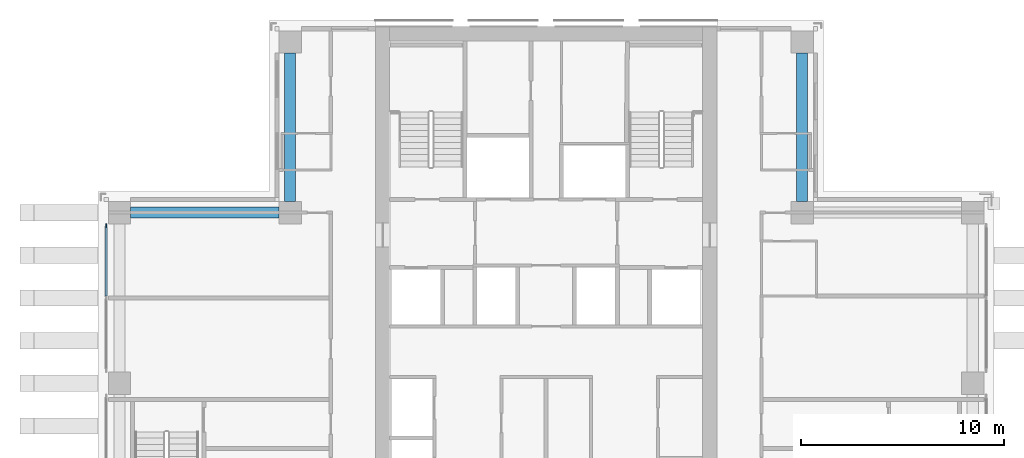
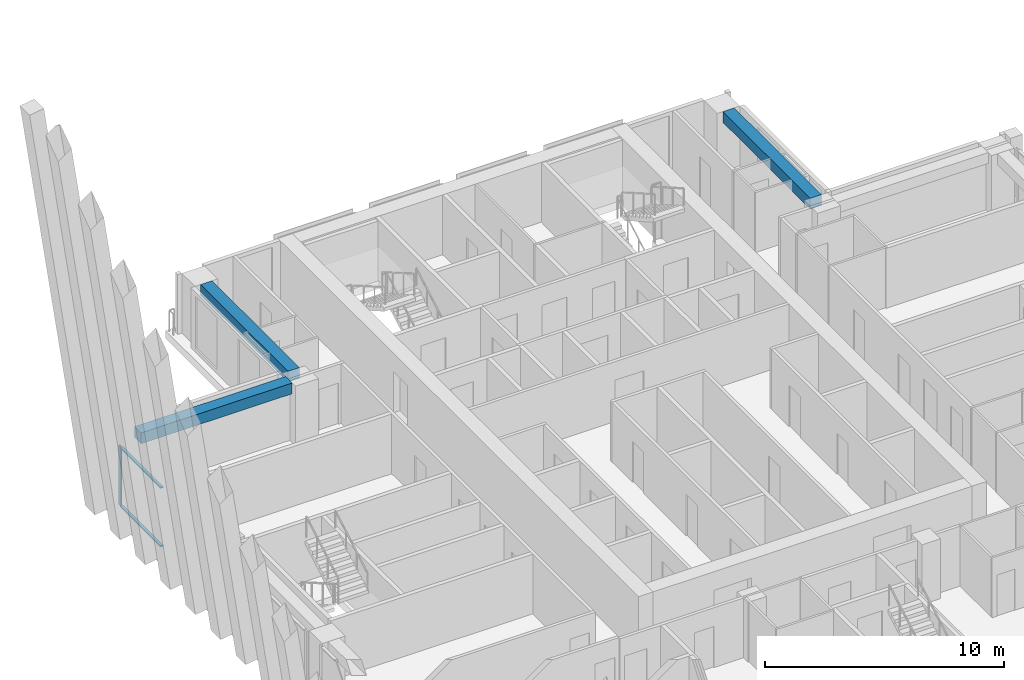
# One storey, part 5 of 15: 3 beams, 3 members, 1 element without a shape of its own.
"""IFC4 building model written with IfcOpenShell, lengths in metres."""

from ifc_helpers import new_model, si_unit, direction, frame, origin, origin_2d, place, context, subcontext, project, spatial, rectangle, extrude, material, material_profile, profile_set, type_object, element, aggregate, save


model = new_model("IFC4")

# Units and contexts
model_context = context("Model", 3, precision=1e-05, world=origin(), true_north=direction((0.0, 1.0)))
body_context = subcontext(model_context, "Body", "Model", "MODEL_VIEW")
ifc_project = project(units=[si_unit("LENGTHUNIT", "METRE"), si_unit("AREAUNIT", "SQUARE_METRE"), si_unit("VOLUMEUNIT", "CUBIC_METRE"), si_unit("PLANEANGLEUNIT", "RADIAN"), si_unit("MASSUNIT", "GRAM", prefix="KILO")], contexts=[model_context])

# Site, building, storey
site_placement = place(None, origin())
site = spatial("IfcSite", under=ifc_project, at=site_placement, CompositionType="ELEMENT")
building_placement = place(site_placement, origin())
building = spatial("IfcBuilding", under=site, at=building_placement, Name="Vermilion Ogive Tower", CompositionType="ELEMENT")
storey_placement = place(building_placement, frame((0.0, 0.0, 153.800048828125)))
storey = spatial("IfcBuildingStorey", under=building, at=storey_placement, Name="L39", CompositionType="ELEMENT", Elevation=153.800048828125)

# Curtain wall, members
ifc_material_1 = material(Name="Low-iron laminated glazing in aluminium frame", Category="aluminium")
curtain_wall_type = type_object("IfcCurtainWallType", Name="Curtain wall CW7", PredefinedType="NOTDEFINED", material=ifc_material_1)
curtain_wall_placement = place(storey_placement, origin())
curtain_wall = element("IfcCurtainWall", 1, at=curtain_wall_placement, inside=storey, type_object=curtain_wall_type, Name="Glazed skin W1", PredefinedType="NOTDEFINED")
ifc_material_2 = material(Name="Aluminium mullion", Category="aluminium")
ifc_material_profile_1 = material_profile(ifc_material_2, rectangle(XDim=0.06005859375, YDim=0.179931640625, at=origin_2d()), Name="AL 60x180")
ifc_profile_set_1 = profile_set([ifc_material_profile_1], Name="Aluminium mullion")
member_type_1 = type_object("IfcMemberType", Name="CW7 mullion 60x180", PredefinedType="MULLION", material=ifc_profile_set_1)
member_1_placement = place(storey_placement, frame((-21.64990234375, 11.9599609375, 0.0), z_axis=(0.0, 0.0, 1.0), x_axis=(1.0, 0.0, 0.0)))
member_1 = element("IfcMember", 2, at=member_1_placement, type_object=member_type_1, Name="CW7-W1 mullion 1", PredefinedType="MULLION", context=body_context, shape_type="SweptSolid", body=[
    extrude(rectangle(XDim=0.06005859375, YDim=0.179931640625, at=origin_2d()), origin(), (0.0, 0.0, 1.0), 3.050048828125),
])
ifc_material_3 = material(Name="Aluminium transom", Category="aluminium")
ifc_material_profile_2 = material_profile(ifc_material_3, rectangle(XDim=0.139892578125, YDim=0.06005859375, at=origin_2d()), Name="AL 60x140")
ifc_profile_set_2 = profile_set([ifc_material_profile_2], Name="Aluminium transom")
member_type_2 = type_object("IfcMemberType", Name="CW7 transom 60x140", PredefinedType="USERDEFINED", material=ifc_profile_set_2)
member_2_placement = place(storey_placement, frame((-21.64990234375, 11.8701171875, 0.030029296875), z_axis=(0.0, -1.0, 0.0), x_axis=(1.0, 0.0, 0.0)))
member_2 = element("IfcMember", 3, at=member_2_placement, type_object=member_type_2, Name="CW7-W1 transom 1.1", ObjectType="TRANSOM", PredefinedType="USERDEFINED", context=body_context, shape_type="SweptSolid", body=[
    extrude(rectangle(XDim=0.139892578125, YDim=0.06005859375, at=origin_2d()), origin(), (0.0, 0.0, 1.0), 3.380126953125),
])
member_3_placement = place(storey_placement, frame((-21.64990234375, 11.8701171875, 3.02001953125), z_axis=(0.0, -1.0, 0.0), x_axis=(1.0, 0.0, 0.0)))
member_3 = element("IfcMember", 4, at=member_3_placement, type_object=member_type_2, Name="CW7-W1 transom 1.2", ObjectType="TRANSOM", PredefinedType="USERDEFINED", context=body_context, shape_type="SweptSolid", body=[
    extrude(rectangle(XDim=0.139892578125, YDim=0.06005859375, at=origin_2d()), origin(), (0.0, 0.0, 1.0), 3.380126953125),
])
aggregate(curtain_wall, [member_1, member_2, member_3])

# Beams
ifc_material_4 = material(Name="Concrete B45", Category="concrete")
ifc_material_profile_3 = material_profile(ifc_material_4, rectangle(XDim=0.550048828125, YDim=0.550048828125, at=origin_2d()), Name="550 x 550")
ifc_profile_set_3 = profile_set([ifc_material_profile_3], Name="Concrete B45")
beam_type = type_object("IfcBeamType", Name="Edge beam 550 x 550 B45", PredefinedType="BEAM", material=ifc_profile_set_3)
for number, where, z_axis, x_axis, name in (
    (5, (12.60009765625, 13.14990234375, 2.77490234375), (0.0, 1.0, 0.0), (-1.0, 0.0, 0.0), "L39-EB-10"),
    (6, (-12.60009765625, 20.449951171875, 2.77490234375), (0.0, -1.0, 0.0), (1.0, 0.0, 0.0), "L39-EB-11"),
    (7, (-13.14990234375, 12.60009765625, 2.77490234375), (-1.0, 0.0, 0.0), (0.0, -1.0, 0.0), "L39-EB-12"),
):
    element("IfcBeam", number, at=place(storey_placement, frame(where, z_axis=z_axis, x_axis=x_axis)), inside=storey, type_object=beam_type, Name=name, PredefinedType="BEAM", context=body_context, shape_type="SweptSolid", body=[
        extrude(rectangle(XDim=0.550048828125, YDim=0.550048828125, at=origin_2d()), origin(), (0.0, 0.0, 1.0), 7.300048828125),
    ])

save(model, "model.ifc")
